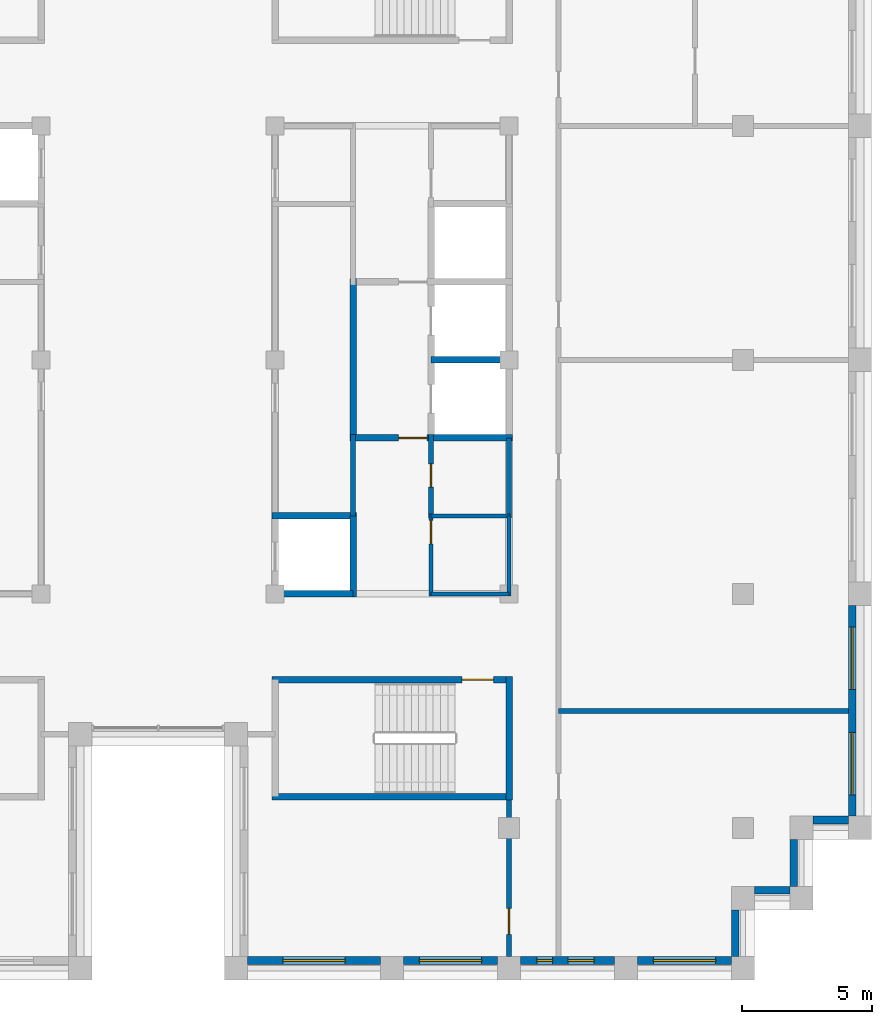
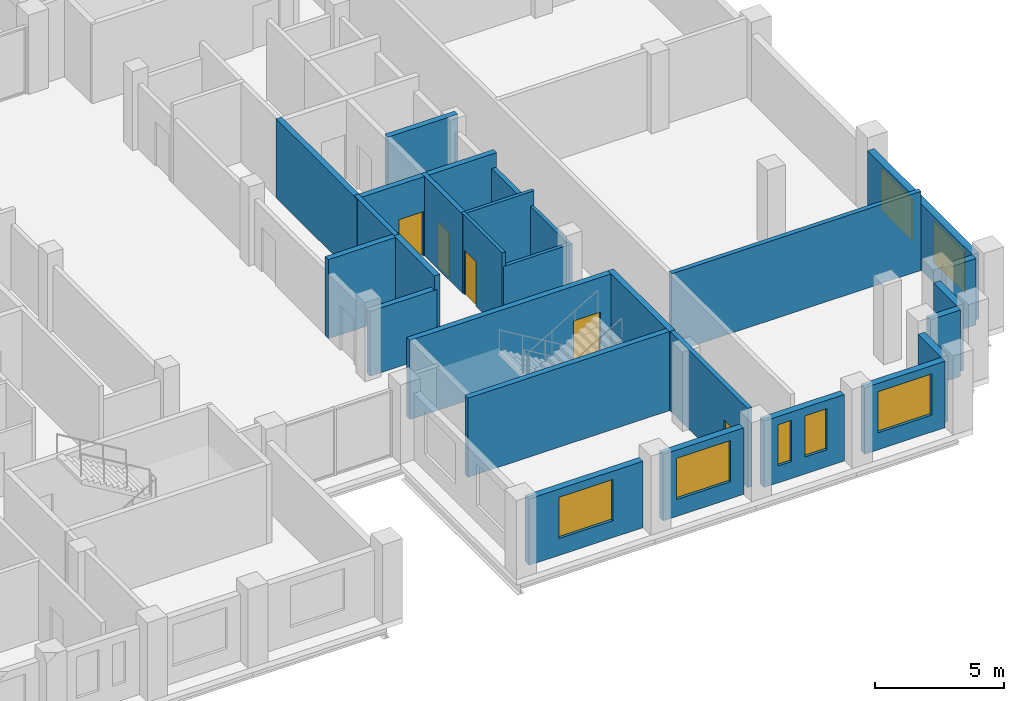
# One storey, part 8 of 13: 27 walls, 7 windows, 5 doors, 12 openings.
"""IFC4 building model written with IfcOpenShell, lengths in metres."""

import ifcopenshell
import ifcopenshell.guid

model = None  # the IFC model being written
_history = None  # IfcOwnerHistory: only IFC2X3 demands one
_inside = {}  # id of a spatial element -> (the spatial element, [elements in it])
_under = {}  # id of a project, library or spatial element -> (it, [spatial elements below it])
_declared = {}  # id of a project -> (the project, [libraries it declares])
_typed = {}  # id of a type object -> (the type object, [elements of that type])
_made_of = {}  # id of a material, layer set ... -> (it, [elements and type objects made of it])


def new_model(schema):
    """Start an empty IFC model of exactly this schema.

    Asked for "IFC4X3", IfcOpenShell would pick the latest addendum, in which some entities
    have other attributes; the version numbers below select the first issue.
    IFC2X3 requires an IfcOwnerHistory on every rooted entity: one is made here for all.
    """
    global model, _history
    if schema == "IFC4X3":
        model = ifcopenshell.file(schema_version=(4, 3, 0, 0))
    else:
        model = ifcopenshell.file(schema=schema)
    _inside.clear()
    _under.clear()
    _declared.clear()
    _typed.clear()
    _made_of.clear()
    _history = None
    if model.schema == "IFC2X3":
        org = make("IfcOrganization", Name="unknown")
        user = make(
            "IfcPersonAndOrganization",
            ThePerson=make("IfcPerson", FamilyName="unknown"),
            TheOrganization=org,
        )
        app = make(
            "IfcApplication",
            ApplicationDeveloper=org,
            Version="unknown",
            ApplicationFullName="unknown",
            ApplicationIdentifier="unknown",
        )
        _history = make(
            "IfcOwnerHistory",
            OwningUser=user,
            OwningApplication=app,
            ChangeAction="ADDED",
            CreationDate=0,
        )
    return model


def make(cls, **values):
    """One entity of the class cls with the attributes given. An attribute that is None is left unset."""
    return model.create_entity(
        cls, **{name: value for name, value in values.items() if value is not None}
    )


def rooted(cls, **values):
    """An entity with a GlobalId (a new one), such as an element, a storey or a relation."""
    return make(cls, GlobalId=ifcopenshell.guid.new(), OwnerHistory=_history, **values)


def si_unit(unit_type, name, prefix=None):
    """IfcSIUnit, for example si_unit("LENGTHUNIT", "METRE", prefix="MILLI")."""
    return make("IfcSIUnit", UnitType=unit_type, Prefix=prefix, Name=name)


def assignment(units):
    """IfcUnitAssignment: the units of a project."""
    return None if units is None else make("IfcUnitAssignment", Units=units)


def point(xyz):
    """IfcCartesianPoint."""
    return None if xyz is None else make("IfcCartesianPoint", Coordinates=xyz)


def direction(xyz):
    """IfcDirection."""
    return None if xyz is None else make("IfcDirection", DirectionRatios=xyz)


def frame(location, z_axis=None, x_axis=None):
    """IfcAxis2Placement3D, a coordinate frame: its origin and axes. An axis left out is left unset."""
    return make(
        "IfcAxis2Placement3D",
        Location=point(location),
        Axis=direction(z_axis),
        RefDirection=direction(x_axis),
    )


def frame_2d(location, x_axis=None):
    """IfcAxis2Placement2D, a coordinate frame in the plane: its origin and x axis."""
    return make(
        "IfcAxis2Placement2D", Location=point(location), RefDirection=direction(x_axis)
    )


def origin():
    """The frame at (0, 0, 0) with its axes left unset."""
    return frame((0.0, 0.0, 0.0))


def place(relative_to, where):
    """IfcLocalPlacement: puts the frame where relative to a parent placement (None: the world)."""
    return make(
        "IfcLocalPlacement", PlacementRelTo=relative_to, RelativePlacement=where
    )


def context(
    kind, dimensions, precision=None, world=None, true_north=None, identifier=None
):
    """IfcGeometricRepresentationContext, for example the 3D "Model" context."""
    return make(
        "IfcGeometricRepresentationContext",
        ContextIdentifier=identifier,
        ContextType=kind,
        CoordinateSpaceDimension=dimensions,
        Precision=precision,
        WorldCoordinateSystem=world,
        TrueNorth=true_north,
    )


def subcontext(parent, identifier, kind, view, scale=None):
    """IfcGeometricRepresentationSubContext, for example "Body" below "Model"."""
    return make(
        "IfcGeometricRepresentationSubContext",
        ContextIdentifier=identifier,
        ContextType=kind,
        ParentContext=parent,
        TargetScale=scale,
        TargetView=view,
    )


def project(units=None, contexts=None):
    """IfcProject with its units and contexts."""
    return rooted(
        "IfcProject",
        Name="project",
        RepresentationContexts=contexts,
        UnitsInContext=assignment(units),
    )


def spatial(cls, under=None, at=None, **own):
    """A site, building, storey or space (cls), placed at a placement, below another one or the project."""
    s = rooted(cls, ObjectPlacement=at, **own)
    if under is not None:
        _under.setdefault(under.id(), (under, []))[1].append(s)
    return s


def profile(cls, at=None, kind="AREA", **sizes):
    """A parametric profile (cls). Its sizes go by their IFC names, for example OverallWidth=200.0."""
    return make(cls, ProfileType=kind, Position=at, **sizes)


def rectangle(**sizes):
    """IfcRectangleProfileDef."""
    return profile("IfcRectangleProfileDef", **sizes)


def extrude(swept, where, along, depth):
    """IfcExtrudedAreaSolid: the profile swept, set in the frame where, extruded along a direction by depth."""
    return make(
        "IfcExtrudedAreaSolid",
        SweptArea=swept,
        Position=where,
        ExtrudedDirection=direction(along),
        Depth=depth,
    )


def shape(context_of_items, identifier, shape_type, items):
    """IfcShapeRepresentation: the items that make up one representation, for example the "Body"."""
    return make(
        "IfcShapeRepresentation",
        ContextOfItems=context_of_items,
        RepresentationIdentifier=identifier,
        RepresentationType=shape_type,
        Items=items,
    )


def material(Name=None, Category=None):
    """IfcMaterial."""
    return make("IfcMaterial", Name=Name, Category=Category)


def layer(
    of_material, thickness, ventilated=None, Name=None, Category=None, Priority=None
):
    """IfcMaterialLayer: one layer of a wall or slab, of a material (None: an air gap)."""
    return make(
        "IfcMaterialLayer",
        Material=of_material,
        LayerThickness=thickness,
        IsVentilated=ventilated,
        Name=Name,
        Category=Category,
        Priority=Priority,
    )


def layer_set(layers, Name=None):
    """IfcMaterialLayerSet."""
    return make("IfcMaterialLayerSet", MaterialLayers=layers, LayerSetName=Name)


def made_of(thing, what):
    """Note that an element or type object is made of a material, layer set ...; save() writes the relation."""
    if what is not None:
        _made_of.setdefault(what.id(), (what, []))[1].append(thing)
    return thing


def type_object(cls, material=None, **own):
    """A type object (cls), such as IfcWallType, which elements share."""
    return made_of(rooted(cls, **own), material)


def element(
    cls,
    number,
    at=None,
    inside=None,
    cuts=None,
    type_object=None,
    material=None,
    context=None,
    identifier="Body",
    shape_type=None,
    held_by="IfcProductDefinitionShape",
    body=None,
    shapes=None,
    **own,
):
    """One element of the class cls, such as IfcWall. Its Tag is "e" and its number.

    at: its placement. inside: the storey or other place that contains it. cuts: it is an
    opening in that element (IfcRelVoidsElement). A single representation is given by context,
    identifier, shape_type and body (its items); several are given by shapes. held_by: the class
    of the entity that holds the representations. save() writes the other relations.
    """
    e = rooted(cls, Tag="e%d" % number, ObjectPlacement=at, **own)
    if body is not None:
        shapes = [shape(context, identifier, shape_type, body)]
    if shapes is not None:
        e.Representation = make(held_by, Representations=shapes)
    if inside is not None:
        _inside.setdefault(inside.id(), (inside, []))[1].append(e)
    if cuts is not None:
        rooted(
            "IfcRelVoidsElement", RelatingBuildingElement=cuts, RelatedOpeningElement=e
        )
    if type_object is not None:
        _typed.setdefault(type_object.id(), (type_object, []))[1].append(e)
    return made_of(e, material)


def fill(opening, filler):
    """IfcRelFillsElement: the door or window that sits in an opening."""
    return rooted(
        "IfcRelFillsElement",
        RelatingOpeningElement=opening,
        RelatedBuildingElement=filler,
    )


def aggregate(whole, parts):
    """IfcRelAggregates: a whole, such as a stair, and the parts it consists of."""
    return rooted("IfcRelAggregates", RelatingObject=whole, RelatedObjects=parts)


def save(model, path):
    """Write the relations noted so far, then the file.

    IfcRelAggregates (storeys below a building ...), IfcRelContainedInSpatialStructure (elements
    in a storey), IfcRelDefinesByType, IfcRelAssociatesMaterial and IfcRelDeclares: one each for
    every whole, place, type object, material and project.
    """
    for whole, parts in _under.values():
        aggregate(whole, parts)
    for where, things in _inside.values():
        rooted(
            "IfcRelContainedInSpatialStructure",
            RelatedElements=things,
            RelatingStructure=where,
        )
    for kind, things in _typed.values():
        rooted("IfcRelDefinesByType", RelatedObjects=things, RelatingType=kind)
    for what, things in _made_of.values():
        rooted("IfcRelAssociatesMaterial", RelatedObjects=things, RelatingMaterial=what)
    for by, libraries in _declared.values():
        rooted("IfcRelDeclares", RelatingContext=by, RelatedDefinitions=libraries)
    model.write(path)


model = new_model("IFC4")

# Units and contexts
model_context = context("Model", 3, precision=1e-05, world=origin(), true_north=direction((0.0, 1.0)))
body_context = subcontext(model_context, "Body", "Model", "MODEL_VIEW")
ifc_project = project(units=[si_unit("LENGTHUNIT", "METRE"), si_unit("AREAUNIT", "SQUARE_METRE"), si_unit("VOLUMEUNIT", "CUBIC_METRE"), si_unit("PLANEANGLEUNIT", "RADIAN"), si_unit("MASSUNIT", "GRAM", prefix="KILO")], contexts=[model_context])

# Site, building, storey
site_placement = place(None, origin())
site = spatial("IfcSite", under=ifc_project, at=site_placement, CompositionType="ELEMENT")
building_placement = place(site_placement, origin())
building = spatial("IfcBuilding", under=site, at=building_placement, Name="Corbelhall Arena Tower", CompositionType="ELEMENT")
storey_placement = place(building_placement, frame((0.0, 0.0, 308.0)))
storey = spatial("IfcBuildingStorey", under=building, at=storey_placement, Name="L67", CompositionType="ELEMENT", Elevation=308.0)

# Wall, opening, window
ifc_material_1 = material(Name="Precast concrete C40/50 with granite facing", Category="masonry")
ifc_layer_1 = layer(ifc_material_1, 0.300048828125)
ifc_layer_set_1 = layer_set([ifc_layer_1], Name="EV-IW1 Infill panel 300")
wall_type_1 = type_object("IfcWallType", Name="EV-IW1 Infill panel 300", PredefinedType="SOLIDWALL", material=ifc_layer_set_1)
wall_1_placement = place(storey_placement, frame((3.449951171875, -23.10009765625, 0.0), z_axis=(0.0, 0.0, 1.0), x_axis=(1.0, 0.0, 0.0)))
wall_1 = element("IfcWall", 1, at=wall_1_placement, inside=storey, type_object=wall_type_1, Name="Infill panel IW1", PredefinedType="SOLIDWALL", context=body_context, shape_type="SweptSolid", body=[
    extrude(rectangle(XDim=5.10009765625, YDim=0.300048828125, at=frame_2d((2.550048828125, 0.0))), origin(), (0.0, 0.0, 1.0), 3.139892578125),
])
opening_1_placement = place(wall_1_placement, frame((1.35009765625, 0.0, 0.800048828125)))
opening_1 = element("IfcOpeningElement", 2, at=opening_1_placement, cuts=wall_1, Name="Opening WN1", PredefinedType="OPENING", context=body_context, shape_type="SweptSolid", body=[
    extrude(rectangle(XDim=2.39990234375, YDim=1.949951171875, at=frame_2d((1.199951171875, 0.97509765625))), frame((0.0, 0.14990234375, 0.0), z_axis=(0.0, -1.0, 0.0), x_axis=(1.0, 0.0, 0.0)), (0.0, 0.0, 1.0), 0.300048828125),
])
ifc_material_2 = material(Name="Aluminium black anodised", Category="aluminium")
window_type_1 = type_object("IfcWindowType", Name="EV-WN1 Office window", PartitioningType="SINGLE_PANEL", PredefinedType="WINDOW", material=ifc_material_2)
window_1_placement = place(opening_1_placement, origin())
window_1 = element("IfcWindow", 3, at=window_1_placement, inside=storey, type_object=window_type_1, Name="Window WN1", OverallHeight=1.949951171875, OverallWidth=2.39990234375, PartitioningType="SINGLE_PANEL", PredefinedType="WINDOW", context=body_context, shape_type="SweptSolid", body=[
    extrude(rectangle(XDim=2.39990234375, YDim=1.949951171875, at=frame_2d((1.199951171875, 0.97509765625))), frame((0.0, 0.030029296875, 0.0), z_axis=(0.0, -1.0, 0.0), x_axis=(1.0, 0.0, 0.0)), (0.0, 0.0, 1.0), 0.06005859375),
])
fill(opening_1, window_1)

wall_2_placement = place(storey_placement, frame((9.449951171875, -23.10009765625, 0.0), z_axis=(0.0, 0.0, 1.0), x_axis=(1.0, 0.0, 0.0)))
wall_2 = element("IfcWall", 4, at=wall_2_placement, inside=storey, type_object=wall_type_1, Name="Infill panel IW1", PredefinedType="SOLIDWALL", context=body_context, shape_type="SweptSolid", body=[
    extrude(rectangle(XDim=3.60009765625, YDim=0.300048828125, at=frame_2d((1.800048828125, 0.0))), origin(), (0.0, 0.0, 1.0), 3.139892578125),
])
opening_2_placement = place(wall_2_placement, frame((0.60009765625, 0.0, 0.800048828125)))
opening_2 = element("IfcOpeningElement", 5, at=opening_2_placement, cuts=wall_2, Name="Opening WN1", PredefinedType="OPENING", context=body_context, shape_type="SweptSolid", body=[
    extrude(rectangle(XDim=2.39990234375, YDim=1.949951171875, at=frame_2d((1.199951171875, 0.97509765625))), frame((0.0, 0.14990234375, 0.0), z_axis=(0.0, -1.0, 0.0), x_axis=(1.0, 0.0, 0.0)), (0.0, 0.0, 1.0), 0.300048828125),
])
window_2_placement = place(opening_2_placement, origin())
window_2 = element("IfcWindow", 6, at=window_2_placement, inside=storey, type_object=window_type_1, Name="Window WN1", OverallHeight=1.949951171875, OverallWidth=2.39990234375, PartitioningType="SINGLE_PANEL", PredefinedType="WINDOW", context=body_context, shape_type="SweptSolid", body=[
    extrude(rectangle(XDim=2.39990234375, YDim=1.949951171875, at=frame_2d((1.199951171875, 0.97509765625))), frame((0.0, 0.030029296875, 0.0), z_axis=(0.0, -1.0, 0.0), x_axis=(1.0, 0.0, 0.0)), (0.0, 0.0, 1.0), 0.06005859375),
])
fill(opening_2, window_2)

# Wall, openings, windows
wall_3_placement = place(storey_placement, frame((13.949951171875, -23.10009765625, 0.0), z_axis=(0.0, 0.0, 1.0), x_axis=(1.0, 0.0, 0.0)))
wall_3 = element("IfcWall", 7, at=wall_3_placement, inside=storey, type_object=wall_type_1, Name="Infill panel IW1", PredefinedType="SOLIDWALL", context=body_context, shape_type="SweptSolid", body=[
    extrude(rectangle(XDim=3.60009765625, YDim=0.300048828125, at=frame_2d((1.800048828125, 0.0))), origin(), (0.0, 0.0, 1.0), 3.139892578125),
])
opening_3_placement = place(wall_3_placement, frame((0.625, 0.0, 0.800048828125)))
opening_3 = element("IfcOpeningElement", 8, at=opening_3_placement, cuts=wall_3, Name="Opening WN5", PredefinedType="OPENING", context=body_context, shape_type="SweptSolid", body=[
    extrude(rectangle(XDim=0.60009765625, YDim=1.949951171875, at=frame_2d((0.300048828125, 0.97509765625))), frame((0.0, 0.14990234375, 0.0), z_axis=(0.0, -1.0, 0.0), x_axis=(1.0, 0.0, 0.0)), (0.0, 0.0, 1.0), 0.300048828125),
])
opening_4_placement = place(wall_3_placement, frame((1.824951171875, 0.0, 0.800048828125)))
opening_4 = element("IfcOpeningElement", 9, at=opening_4_placement, cuts=wall_3, Name="Opening WN6", PredefinedType="OPENING", context=body_context, shape_type="SweptSolid", body=[
    extrude(rectangle(XDim=1.0, YDim=1.949951171875, at=frame_2d((0.5, 0.97509765625))), frame((0.0, 0.14990234375, 0.0), z_axis=(0.0, -1.0, 0.0), x_axis=(1.0, 0.0, 0.0)), (0.0, 0.0, 1.0), 0.300048828125),
])
window_type_2 = type_object("IfcWindowType", Name="EV-WN5 Office window 600", PartitioningType="SINGLE_PANEL", PredefinedType="WINDOW", material=ifc_material_2)
window_3_placement = place(opening_3_placement, origin())
window_3 = element("IfcWindow", 10, at=window_3_placement, inside=storey, type_object=window_type_2, Name="Window WN5", OverallHeight=1.949951171875, OverallWidth=0.60009765625, PartitioningType="SINGLE_PANEL", PredefinedType="WINDOW", context=body_context, shape_type="SweptSolid", body=[
    extrude(rectangle(XDim=0.60009765625, YDim=1.949951171875, at=frame_2d((0.300048828125, 0.97509765625))), frame((0.0, 0.030029296875, 0.0), z_axis=(0.0, -1.0, 0.0), x_axis=(1.0, 0.0, 0.0)), (0.0, 0.0, 1.0), 0.06005859375),
])
fill(opening_3, window_3)
window_type_3 = type_object("IfcWindowType", Name="EV-WN6 Office window 1000", PartitioningType="SINGLE_PANEL", PredefinedType="WINDOW", material=ifc_material_2)
window_4_placement = place(opening_4_placement, origin())
window_4 = element("IfcWindow", 11, at=window_4_placement, inside=storey, type_object=window_type_3, Name="Window WN6", OverallHeight=1.949951171875, OverallWidth=1.0, PartitioningType="SINGLE_PANEL", PredefinedType="WINDOW", context=body_context, shape_type="SweptSolid", body=[
    extrude(rectangle(XDim=1.0, YDim=1.949951171875, at=frame_2d((0.5, 0.97509765625))), frame((0.0, 0.030029296875, 0.0), z_axis=(0.0, -1.0, 0.0), x_axis=(1.0, 0.0, 0.0)), (0.0, 0.0, 1.0), 0.06005859375),
])
fill(opening_4, window_4)

# Wall, opening, window
wall_4_placement = place(storey_placement, frame((18.449951171875, -23.10009765625, 0.0), z_axis=(0.0, 0.0, 1.0), x_axis=(1.0, 0.0, 0.0)))
wall_4 = element("IfcWall", 12, at=wall_4_placement, inside=storey, type_object=wall_type_1, Name="Infill panel IW1", PredefinedType="SOLIDWALL", context=body_context, shape_type="SweptSolid", body=[
    extrude(rectangle(XDim=3.60009765625, YDim=0.300048828125, at=frame_2d((1.800048828125, 0.0))), origin(), (0.0, 0.0, 1.0), 3.139892578125),
])
opening_5_placement = place(wall_4_placement, frame((0.60009765625, 0.0, 0.800048828125)))
opening_5 = element("IfcOpeningElement", 13, at=opening_5_placement, cuts=wall_4, Name="Opening WN1", PredefinedType="OPENING", context=body_context, shape_type="SweptSolid", body=[
    extrude(rectangle(XDim=2.39990234375, YDim=1.949951171875, at=frame_2d((1.199951171875, 0.97509765625))), frame((0.0, 0.14990234375, 0.0), z_axis=(0.0, -1.0, 0.0), x_axis=(1.0, 0.0, 0.0)), (0.0, 0.0, 1.0), 0.300048828125),
])
window_5_placement = place(opening_5_placement, origin())
window_5 = element("IfcWindow", 14, at=window_5_placement, inside=storey, type_object=window_type_1, Name="Window WN1", OverallHeight=1.949951171875, OverallWidth=2.39990234375, PartitioningType="SINGLE_PANEL", PredefinedType="WINDOW", context=body_context, shape_type="SweptSolid", body=[
    extrude(rectangle(XDim=2.39990234375, YDim=1.949951171875, at=frame_2d((1.199951171875, 0.97509765625))), frame((0.0, 0.030029296875, 0.0), z_axis=(0.0, -1.0, 0.0), x_axis=(1.0, 0.0, 0.0)), (0.0, 0.0, 1.0), 0.06005859375),
])
fill(opening_5, window_5)

# Walls
wall_5_placement = place(storey_placement, frame((22.199951171875, -22.949951171875, 0.0), z_axis=(0.0, 0.0, 1.0), x_axis=(0.0, 1.0, 0.0)))
element("IfcWall", 15, at=wall_5_placement, inside=storey, type_object=wall_type_1, Name="Infill panel IW1", PredefinedType="SOLIDWALL", context=body_context, shape_type="SweptSolid", body=[
    extrude(rectangle(XDim=1.800048828125, YDim=0.300048828125, at=frame_2d((0.89990234375, 0.0))), origin(), (0.0, 0.0, 1.0), 3.139892578125),
])
wall_6_placement = place(storey_placement, frame((22.949951171875, -20.39990234375, 0.0), z_axis=(0.0, 0.0, 1.0), x_axis=(1.0, 0.0, 0.0)))
element("IfcWall", 16, at=wall_6_placement, inside=storey, type_object=wall_type_1, Name="Infill panel IW1", PredefinedType="SOLIDWALL", context=body_context, shape_type="SweptSolid", body=[
    extrude(rectangle(XDim=1.35009765625, YDim=0.300048828125, at=frame_2d((0.675048828125, 0.0))), origin(), (0.0, 0.0, 1.0), 3.139892578125),
])
wall_7_placement = place(storey_placement, frame((24.449951171875, -20.25, 0.0), z_axis=(0.0, 0.0, 1.0), x_axis=(0.0, 1.0, 0.0)))
element("IfcWall", 17, at=wall_7_placement, inside=storey, type_object=wall_type_1, Name="Infill panel IW1", PredefinedType="SOLIDWALL", context=body_context, shape_type="SweptSolid", body=[
    extrude(rectangle(XDim=1.800048828125, YDim=0.300048828125, at=frame_2d((0.89990234375, 0.0))), origin(), (0.0, 0.0, 1.0), 3.139892578125),
])
wall_8_placement = place(storey_placement, frame((25.199951171875, -17.699951171875, 0.0), z_axis=(0.0, 0.0, 1.0), x_axis=(1.0, 0.0, 0.0)))
element("IfcWall", 18, at=wall_8_placement, inside=storey, type_object=wall_type_1, Name="Infill panel IW1", PredefinedType="SOLIDWALL", context=body_context, shape_type="SweptSolid", body=[
    extrude(rectangle(XDim=1.35009765625, YDim=0.300048828125, at=frame_2d((0.675048828125, 0.0))), origin(), (0.0, 0.0, 1.0), 3.139892578125),
])

# Wall, openings, windows
wall_9_placement = place(storey_placement, frame((26.699951171875, -17.550048828125, 0.0), z_axis=(0.0, 0.0, 1.0), x_axis=(0.0, 1.0, 0.0)))
wall_9 = element("IfcWall", 19, at=wall_9_placement, inside=storey, type_object=wall_type_1, Name="Infill panel IW1", PredefinedType="SOLIDWALL", context=body_context, shape_type="SweptSolid", body=[
    extrude(rectangle(XDim=8.10009765625, YDim=0.300048828125, at=frame_2d((4.050048828125, 0.0))), origin(), (0.0, 0.0, 1.0), 3.139892578125),
])
opening_6_placement = place(wall_9_placement, frame((0.824951171875, 0.0, 0.800048828125)))
opening_6 = element("IfcOpeningElement", 20, at=opening_6_placement, cuts=wall_9, Name="Opening WN1", PredefinedType="OPENING", context=body_context, shape_type="SweptSolid", body=[
    extrude(rectangle(XDim=2.39990234375, YDim=1.949951171875, at=frame_2d((1.199951171875, 0.97509765625))), frame((0.0, 0.14990234375, 0.0), z_axis=(0.0, -1.0, 0.0), x_axis=(1.0, 0.0, 0.0)), (0.0, 0.0, 1.0), 0.300048828125),
])
opening_7_placement = place(wall_9_placement, frame((4.875, 0.0, 0.800048828125)))
opening_7 = element("IfcOpeningElement", 21, at=opening_7_placement, cuts=wall_9, Name="Opening WN1", PredefinedType="OPENING", context=body_context, shape_type="SweptSolid", body=[
    extrude(rectangle(XDim=2.39990234375, YDim=1.949951171875, at=frame_2d((1.199951171875, 0.97509765625))), frame((0.0, 0.14990234375, 0.0), z_axis=(0.0, -1.0, 0.0), x_axis=(1.0, 0.0, 0.0)), (0.0, 0.0, 1.0), 0.300048828125),
])
window_6_placement = place(opening_6_placement, origin())
window_6 = element("IfcWindow", 22, at=window_6_placement, inside=storey, type_object=window_type_1, Name="Window WN1", OverallHeight=1.949951171875, OverallWidth=2.39990234375, PartitioningType="SINGLE_PANEL", PredefinedType="WINDOW", context=body_context, shape_type="SweptSolid", body=[
    extrude(rectangle(XDim=2.39990234375, YDim=1.949951171875, at=frame_2d((1.199951171875, 0.97509765625))), frame((0.0, 0.030029296875, 0.0), z_axis=(0.0, -1.0, 0.0), x_axis=(1.0, 0.0, 0.0)), (0.0, 0.0, 1.0), 0.06005859375),
])
fill(opening_6, window_6)
window_7_placement = place(opening_7_placement, origin())
window_7 = element("IfcWindow", 23, at=window_7_placement, inside=storey, type_object=window_type_1, Name="Window WN1", OverallHeight=1.949951171875, OverallWidth=2.39990234375, PartitioningType="SINGLE_PANEL", PredefinedType="WINDOW", context=body_context, shape_type="SweptSolid", body=[
    extrude(rectangle(XDim=2.39990234375, YDim=1.949951171875, at=frame_2d((1.199951171875, 0.97509765625))), frame((0.0, 0.030029296875, 0.0), z_axis=(0.0, -1.0, 0.0), x_axis=(1.0, 0.0, 0.0)), (0.0, 0.0, 1.0), 0.06005859375),
])
fill(opening_7, window_7)

# Wall, opening, door
ifc_material_3 = material(Name="Gypsum board on steel stud, acoustic", Category="steel")
ifc_layer_2 = layer(ifc_material_3, 0.199951171875)
ifc_layer_set_2 = layer_set([ifc_layer_2], Name="IN-W-DM200")
wall_type_2 = type_object("IfcWallType", Name="IN-W-DM200", PredefinedType="PARTITIONING", material=ifc_layer_set_2)
wall_10_placement = place(storey_placement, frame((13.5, -22.949951171875, 0.0), z_axis=(0.0, 0.0, 1.0), x_axis=(0.0, 1.0, 0.0)))
wall_10 = element("IfcWall", 24, at=wall_10_placement, inside=storey, type_object=wall_type_2, Name="Partition 018", PredefinedType="PARTITIONING", context=body_context, shape_type="SweptSolid", body=[
    extrude(rectangle(XDim=6.27490234375, YDim=0.199951171875, at=frame_2d((3.137451171875, 0.0))), origin(), (0.0, 0.0, 1.0), 3.739990234375),
])
opening_8_placement = place(wall_10_placement, frame((0.85009765625, 0.0, 0.0)))
opening_8 = element("IfcOpeningElement", 25, at=opening_8_placement, cuts=wall_10, Name="Opening 21020", PredefinedType="OPENING", context=body_context, shape_type="SweptSolid", body=[
    extrude(rectangle(XDim=1.0, YDim=2.10009765625, at=frame_2d((0.5, 1.050048828125))), frame((0.0, 0.10009765625, 0.0), z_axis=(0.0, -1.0, 0.0), x_axis=(1.0, 0.0, 0.0)), (0.0, 0.0, 1.0), 0.199951171875),
])
ifc_material_4 = material(Name="Steel door set", Category="steel")
door_type_1 = type_object("IfcDoorType", Name="IN-D-SW100", OperationType="NOTDEFINED", PredefinedType="DOOR", material=ifc_material_4)
door_1_placement = place(opening_8_placement, origin())
door_1 = element("IfcDoor", 26, at=door_1_placement, inside=storey, type_object=door_type_1, Name="Door 020", OperationType="SINGLE_SWING_LEFT", OverallHeight=2.10009765625, OverallWidth=1.0, PredefinedType="DOOR", context=body_context, shape_type="SweptSolid", body=[
    extrude(rectangle(XDim=1.0, YDim=2.10009765625, at=frame_2d((0.5, 1.050048828125))), frame((0.0, 0.02490234375, 0.0), z_axis=(0.0, -1.0, 0.0), x_axis=(1.0, 0.0, 0.0)), (0.0, 0.0, 1.0), 0.050048828125),
])
fill(opening_8, door_1)

# Walls
wall_11_placement = place(storey_placement, frame((15.39990234375, -13.5, 0.0), z_axis=(0.0, 0.0, 1.0), x_axis=(1.0, 0.0, 0.0)))
element("IfcWall", 27, at=wall_11_placement, inside=storey, type_object=wall_type_2, Name="Partition 020", PredefinedType="PARTITIONING", context=body_context, shape_type="SweptSolid", body=[
    extrude(rectangle(XDim=11.150146484375, YDim=0.199951171875, at=frame_2d((5.5751953125, 0.0))), origin(), (0.0, 0.0, 1.0), 3.739990234375),
])
ifc_material_5 = material(Name="Concrete block wall", Category="concrete")
ifc_layer_3 = layer(ifc_material_5, 0.199951171875)
ifc_layer_set_3 = layer_set([ifc_layer_3], Name="IN-W-RS200")
wall_type_3 = type_object("IfcWallType", Name="IN-W-RS200", PredefinedType="SOLIDWALL", material=ifc_layer_set_3)
wall_12_placement = place(storey_placement, frame((7.5, -2.875, 0.0), z_axis=(0.0, 0.0, 1.0), x_axis=(0.0, -1.0, 0.0)))
element("IfcWall", 28, at=wall_12_placement, inside=storey, type_object=wall_type_3, Name="Partition 037", PredefinedType="SOLIDWALL", context=body_context, shape_type="SweptSolid", body=[
    extrude(rectangle(XDim=3.125, YDim=0.199951171875, at=frame_2d((1.5625, 0.0))), origin(), (0.0, 0.0, 1.0), 3.739990234375),
])

# Wall, opening, door
wall_13_placement = place(storey_placement, frame((10.5, -2.875, 0.0), z_axis=(0.0, 0.0, 1.0), x_axis=(0.0, -1.0, 0.0)))
wall_13 = element("IfcWall", 29, at=wall_13_placement, inside=storey, type_object=wall_type_3, Name="Partition 039", PredefinedType="SOLIDWALL", context=body_context, shape_type="SweptSolid", body=[
    extrude(rectangle(XDim=3.199951171875, YDim=0.199951171875, at=frame_2d((1.60009765625, 0.0))), origin(), (0.0, 0.0, 1.0), 3.739990234375),
])
opening_9_placement = place(wall_13_placement, frame((1.1201171875, 0.0, 0.0)))
opening_9 = element("IfcOpeningElement", 30, at=opening_9_placement, cuts=wall_13, Name="Opening 21036", PredefinedType="OPENING", context=body_context, shape_type="SweptSolid", body=[
    extrude(rectangle(XDim=0.89990234375, YDim=2.10009765625, at=frame_2d((0.449951171875, 1.050048828125))), frame((0.0, 0.10009765625, 0.0), z_axis=(0.0, -1.0, 0.0), x_axis=(1.0, 0.0, 0.0)), (0.0, 0.0, 1.0), 0.199951171875),
])
ifc_material_6 = material(Name="Timber door set", Category="wood")
door_type_2 = type_object("IfcDoorType", Name="IN-D-SW90", OperationType="NOTDEFINED", PredefinedType="DOOR", material=ifc_material_6)
door_2_placement = place(opening_9_placement, origin())
door_2 = element("IfcDoor", 31, at=door_2_placement, inside=storey, type_object=door_type_2, Name="Door 036", OperationType="SINGLE_SWING_LEFT", OverallHeight=2.10009765625, OverallWidth=0.89990234375, PredefinedType="DOOR", context=body_context, shape_type="SweptSolid", body=[
    extrude(rectangle(XDim=0.89990234375, YDim=2.10009765625, at=frame_2d((0.449951171875, 1.050048828125))), frame((0.0, 0.02490234375, 0.0), z_axis=(0.0, -1.0, 0.0), x_axis=(1.0, 0.0, 0.0)), (0.0, 0.0, 1.0), 0.050048828125),
])
fill(opening_9, door_2)

# Walls
ifc_layer_4 = layer(ifc_material_5, 0.199951171875)
ifc_layer_set_4 = layer_set([ifc_layer_4], Name="IN-W-RS200 under beam 678 mm")
wall_type_4 = type_object("IfcWallType", Name="IN-W-RS200 under beam 678 mm", PredefinedType="SOLIDWALL", material=ifc_layer_set_4)
wall_14_placement = place(storey_placement, frame((13.5, -3.0, 0.0), z_axis=(0.0, 0.0, 1.0), x_axis=(0.0, -1.0, 0.0)))
element("IfcWall", 32, at=wall_14_placement, inside=storey, type_object=wall_type_4, Name="Partition 042", PredefinedType="SOLIDWALL", context=body_context, shape_type="SweptSolid", body=[
    extrude(rectangle(XDim=3.0, YDim=0.199951171875, at=frame_2d((1.5, 0.0))), origin(), (0.0, 0.0, 1.0), 3.061767578125),
])
ifc_material_7 = material(Name="Concrete C40/50", Category="concrete")
ifc_layer_5 = layer(ifc_material_7, 0.25)
ifc_layer_set_5 = layer_set([ifc_layer_5], Name="IN-W-SH250")
wall_type_5 = type_object("IfcWallType", Name="IN-W-SH250", PredefinedType="SOLIDWALL", material=ifc_layer_set_5)
wall_15_placement = place(storey_placement, frame((4.375, -6.0, 0.0), z_axis=(0.0, 0.0, 1.0), x_axis=(1.0, 0.0, 0.0)))
element("IfcWall", 33, at=wall_15_placement, inside=storey, type_object=wall_type_5, Name="Shaft wall 054", PredefinedType="SOLIDWALL", context=body_context, shape_type="SweptSolid", body=[
    extrude(rectangle(XDim=3.25, YDim=0.25, at=frame_2d((1.625, 0.0))), origin(), (0.0, 0.0, 1.0), 3.739990234375),
])
wall_16_placement = place(storey_placement, frame((7.5, -6.0, 0.0), z_axis=(0.0, 0.0, 1.0), x_axis=(0.0, -1.0, 0.0)))
element("IfcWall", 34, at=wall_16_placement, inside=storey, type_object=wall_type_5, Name="Shaft wall 057", PredefinedType="SOLIDWALL", context=body_context, shape_type="SweptSolid", body=[
    extrude(rectangle(XDim=3.125, YDim=0.25, at=frame_2d((1.5625, 0.0))), origin(), (0.0, 0.0, 1.0), 3.739990234375),
])

# Wall, opening, door
wall_17_placement = place(storey_placement, frame((7.5, -3.0, 0.0), z_axis=(0.0, 0.0, 1.0), x_axis=(1.0, 0.0, 0.0)))
wall_17 = element("IfcWall", 35, at=wall_17_placement, inside=storey, type_object=wall_type_5, Name="Shaft wall 058", PredefinedType="SOLIDWALL", context=body_context, shape_type="SweptSolid", body=[
    extrude(rectangle(XDim=6.125, YDim=0.25, at=frame_2d((3.0625, 0.0))), origin(), (0.0, 0.0, 1.0), 3.739990234375),
])
opening_10_placement = place(wall_17_placement, frame((1.75, 0.0, 0.0)))
opening_10 = element("IfcOpeningElement", 36, at=opening_10_placement, cuts=wall_17, Name="Opening 21010", PredefinedType="OPENING", context=body_context, shape_type="SweptSolid", body=[
    extrude(rectangle(XDim=1.10009765625, YDim=2.10009765625, at=frame_2d((0.550048828125, 1.050048828125))), frame((0.0, 0.125, 0.0), z_axis=(0.0, -1.0, 0.0), x_axis=(1.0, 0.0, 0.0)), (0.0, 0.0, 1.0), 0.25),
])
door_type_3 = type_object("IfcDoorType", Name="IN-D-FD110", OperationType="NOTDEFINED", PredefinedType="DOOR", material=ifc_material_4)
door_3_placement = place(opening_10_placement, origin())
door_3 = element("IfcDoor", 37, at=door_3_placement, inside=storey, type_object=door_type_3, Name="Door 010", OperationType="SINGLE_SWING_LEFT", OverallHeight=2.10009765625, OverallWidth=1.10009765625, PredefinedType="DOOR", context=body_context, shape_type="SweptSolid", body=[
    extrude(rectangle(XDim=1.10009765625, YDim=2.10009765625, at=frame_2d((0.550048828125, 1.050048828125))), frame((0.0, 0.02490234375, 0.0), z_axis=(0.0, -1.0, 0.0), x_axis=(1.0, 0.0, 0.0)), (0.0, 0.0, 1.0), 0.050048828125),
])
fill(opening_10, door_3)

# Walls
wall_18_placement = place(storey_placement, frame((7.5, 3.125, 0.0), z_axis=(0.0, 0.0, 1.0), x_axis=(0.0, -1.0, 0.0)))
element("IfcWall", 38, at=wall_18_placement, inside=storey, type_object=wall_type_5, Name="Shaft wall 060", PredefinedType="SOLIDWALL", context=body_context, shape_type="SweptSolid", body=[
    extrude(rectangle(XDim=6.25, YDim=0.25, at=frame_2d((3.125, 0.0))), origin(), (0.0, 0.0, 1.0), 3.739990234375),
])
wall_19_placement = place(storey_placement, frame((10.5, 0.0, 0.0), z_axis=(0.0, 0.0, 1.0), x_axis=(1.0, 0.0, 0.0)))
element("IfcWall", 39, at=wall_19_placement, inside=storey, type_object=wall_type_5, Name="Shaft wall 061", PredefinedType="SOLIDWALL", context=body_context, shape_type="SweptSolid", body=[
    extrude(rectangle(XDim=3.125, YDim=0.25, at=frame_2d((1.5625, 0.0))), origin(), (0.0, 0.0, 1.0), 3.739990234375),
])
ifc_layer_6 = layer(ifc_material_7, 0.25)
ifc_layer_set_6 = layer_set([ifc_layer_6], Name="IN-W-SH250 under beam 678 mm")
wall_type_6 = type_object("IfcWallType", Name="IN-W-SH250 under beam 678 mm", PredefinedType="SOLIDWALL", material=ifc_layer_set_6)
wall_20_placement = place(storey_placement, frame((7.5, -9.0, 0.0), z_axis=(0.0, 0.0, 1.0), x_axis=(-1.0, 0.0, 0.0)))
element("IfcWall", 40, at=wall_20_placement, inside=storey, type_object=wall_type_6, Name="Shaft wall 056", PredefinedType="SOLIDWALL", context=body_context, shape_type="SweptSolid", body=[
    extrude(rectangle(XDim=3.0, YDim=0.25, at=frame_2d((1.5, 0.0))), origin(), (0.0, 0.0, 1.0), 3.061767578125),
])
ifc_layer_7 = layer(ifc_material_7, 0.25)
ifc_layer_set_7 = layer_set([ifc_layer_7], Name="IN-W-ST250")
wall_type_7 = type_object("IfcWallType", Name="IN-W-ST250", PredefinedType="SOLIDWALL", material=ifc_layer_set_7)
wall_21_placement = place(storey_placement, frame((13.5, -16.925048828125, 0.0), z_axis=(0.0, 0.0, 1.0), x_axis=(0.0, 1.0, 0.0)))
element("IfcWall", 41, at=wall_21_placement, inside=storey, type_object=wall_type_7, Name="Shaft wall 077", PredefinedType="SOLIDWALL", context=body_context, shape_type="SweptSolid", body=[
    extrude(rectangle(XDim=4.75, YDim=0.25, at=frame_2d((2.375, 0.0))), origin(), (0.0, 0.0, 1.0), 3.739990234375),
])
wall_22_placement = place(storey_placement, frame((13.5, -16.800048828125, 0.0), z_axis=(0.0, 0.0, 1.0), x_axis=(-1.0, 0.0, 0.0)))
element("IfcWall", 42, at=wall_22_placement, inside=storey, type_object=wall_type_7, Name="Shaft wall 078", PredefinedType="SOLIDWALL", context=body_context, shape_type="SweptSolid", body=[
    extrude(rectangle(XDim=9.125, YDim=0.25, at=frame_2d((4.5625, 0.0))), origin(), (0.0, 0.0, 1.0), 3.739990234375),
])

# Wall, opening, door
wall_23_placement = place(storey_placement, frame((13.5, -12.300048828125, 0.0), z_axis=(0.0, 0.0, 1.0), x_axis=(-1.0, 0.0, 0.0)))
wall_23 = element("IfcWall", 43, at=wall_23_placement, inside=storey, type_object=wall_type_7, Name="Shaft wall 079", PredefinedType="SOLIDWALL", context=body_context, shape_type="SweptSolid", body=[
    extrude(rectangle(XDim=9.125, YDim=0.25, at=frame_2d((4.5625, 0.0))), origin(), (0.0, 0.0, 1.0), 3.739990234375),
])
opening_11_placement = place(wall_23_placement, frame((0.60009765625, 0.0, 0.0)))
opening_11 = element("IfcOpeningElement", 44, at=opening_11_placement, cuts=wall_23, Name="Opening 21017", PredefinedType="OPENING", context=body_context, shape_type="SweptSolid", body=[
    extrude(rectangle(XDim=1.199951171875, YDim=2.10009765625, at=frame_2d((0.60009765625, 1.050048828125))), frame((0.0, 0.125, 0.0), z_axis=(0.0, -1.0, 0.0), x_axis=(1.0, 0.0, 0.0)), (0.0, 0.0, 1.0), 0.25),
])
door_type_4 = type_object("IfcDoorType", Name="IN-D-ST120", OperationType="NOTDEFINED", PredefinedType="DOOR", material=ifc_material_4)
door_4_placement = place(opening_11_placement, origin())
door_4 = element("IfcDoor", 45, at=door_4_placement, inside=storey, type_object=door_type_4, Name="Door 017", OperationType="SINGLE_SWING_RIGHT", OverallHeight=2.10009765625, OverallWidth=1.199951171875, PredefinedType="DOOR", context=body_context, shape_type="SweptSolid", body=[
    extrude(rectangle(XDim=1.199951171875, YDim=2.10009765625, at=frame_2d((0.60009765625, 1.050048828125))), frame((0.0, 0.02490234375, 0.0), z_axis=(0.0, -1.0, 0.0), x_axis=(1.0, 0.0, 0.0)), (0.0, 0.0, 1.0), 0.050048828125),
])
fill(opening_11, door_4)

# Wall
ifc_material_8 = material(Name="Gypsum board on steel stud, moisture resistant", Category="steel")
ifc_layer_8 = layer(ifc_material_8, 0.14990234375)
ifc_layer_set_8 = layer_set([ifc_layer_8], Name="IN-W-WC150")
wall_type_8 = type_object("IfcWallType", Name="IN-W-WC150", PredefinedType="PARTITIONING", material=ifc_layer_set_8)
wall_24_placement = place(storey_placement, frame((10.5, -6.0, 0.0), z_axis=(0.0, 0.0, 1.0), x_axis=(1.0, 0.0, 0.0)))
element("IfcWall", 46, at=wall_24_placement, inside=storey, type_object=wall_type_8, Name="Partition 088", PredefinedType="PARTITIONING", context=body_context, shape_type="SweptSolid", body=[
    extrude(rectangle(XDim=3.10009765625, YDim=0.14990234375, at=frame_2d((1.550048828125, 0.0))), origin(), (0.0, 0.0, 1.0), 3.739990234375),
])

# Wall, opening, door
wall_25_placement = place(storey_placement, frame((10.5, -5.925048828125, 0.0), z_axis=(0.0, 0.0, 1.0), x_axis=(0.0, -1.0, 0.0)))
wall_25 = element("IfcWall", 47, at=wall_25_placement, inside=storey, type_object=wall_type_8, Name="Partition 089", PredefinedType="PARTITIONING", context=body_context, shape_type="SweptSolid", body=[
    extrude(rectangle(XDim=3.14990234375, YDim=0.14990234375, at=frame_2d((1.574951171875, 0.0))), origin(), (0.0, 0.0, 1.0), 3.739990234375),
])
opening_12_placement = place(wall_25_placement, frame((0.25, 0.0, 0.0)))
opening_12 = element("IfcOpeningElement", 48, at=opening_12_placement, cuts=wall_25, Name="Opening 21012", PredefinedType="OPENING", context=body_context, shape_type="SweptSolid", body=[
    extrude(rectangle(XDim=0.89990234375, YDim=2.10009765625, at=frame_2d((0.449951171875, 1.050048828125))), frame((0.0, 0.074951171875, 0.0), z_axis=(0.0, -1.0, 0.0), x_axis=(1.0, 0.0, 0.0)), (0.0, 0.0, 1.0), 0.14990234375),
])
door_5_placement = place(opening_12_placement, origin())
door_5 = element("IfcDoor", 49, at=door_5_placement, inside=storey, type_object=door_type_2, Name="Door 012", OperationType="SINGLE_SWING_LEFT", OverallHeight=2.10009765625, OverallWidth=0.89990234375, PredefinedType="DOOR", context=body_context, shape_type="SweptSolid", body=[
    extrude(rectangle(XDim=0.89990234375, YDim=2.10009765625, at=frame_2d((0.449951171875, 1.050048828125))), frame((0.0, 0.02490234375, 0.0), z_axis=(0.0, -1.0, 0.0), x_axis=(1.0, 0.0, 0.0)), (0.0, 0.0, 1.0), 0.050048828125),
])
fill(opening_12, door_5)

# Walls
ifc_layer_9 = layer(ifc_material_8, 0.14990234375)
ifc_layer_set_9 = layer_set([ifc_layer_9], Name="IN-W-WC150 under beam 678 mm")
wall_type_9 = type_object("IfcWallType", Name="IN-W-WC150 under beam 678 mm", PredefinedType="PARTITIONING", material=ifc_layer_set_9)
wall_26_placement = place(storey_placement, frame((13.5, -9.0, 0.0), z_axis=(0.0, 0.0, 1.0), x_axis=(-1.0, 0.0, 0.0)))
element("IfcWall", 50, at=wall_26_placement, inside=storey, type_object=wall_type_9, Name="Partition 090", PredefinedType="PARTITIONING", context=body_context, shape_type="SweptSolid", body=[
    extrude(rectangle(XDim=3.0, YDim=0.14990234375, at=frame_2d((1.5, 0.0))), origin(), (0.0, 0.0, 1.0), 3.061767578125),
])
wall_27_placement = place(storey_placement, frame((13.5, -6.0, 0.0), z_axis=(0.0, 0.0, 1.0), x_axis=(0.0, -1.0, 0.0)))
element("IfcWall", 51, at=wall_27_placement, inside=storey, type_object=wall_type_9, Name="Partition 091", PredefinedType="PARTITIONING", context=body_context, shape_type="SweptSolid", body=[
    extrude(rectangle(XDim=3.074951171875, YDim=0.14990234375, at=frame_2d((1.53759765625, 0.0))), origin(), (0.0, 0.0, 1.0), 3.061767578125),
])

save(model, "model.ifc")
